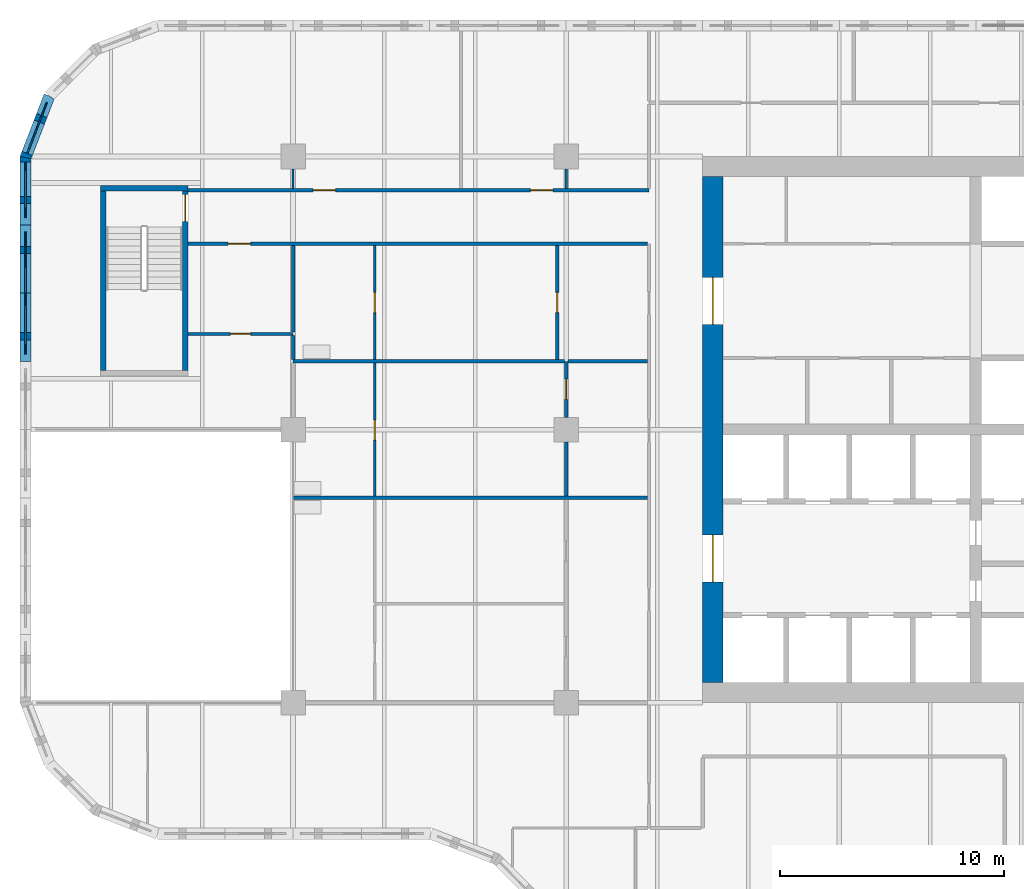
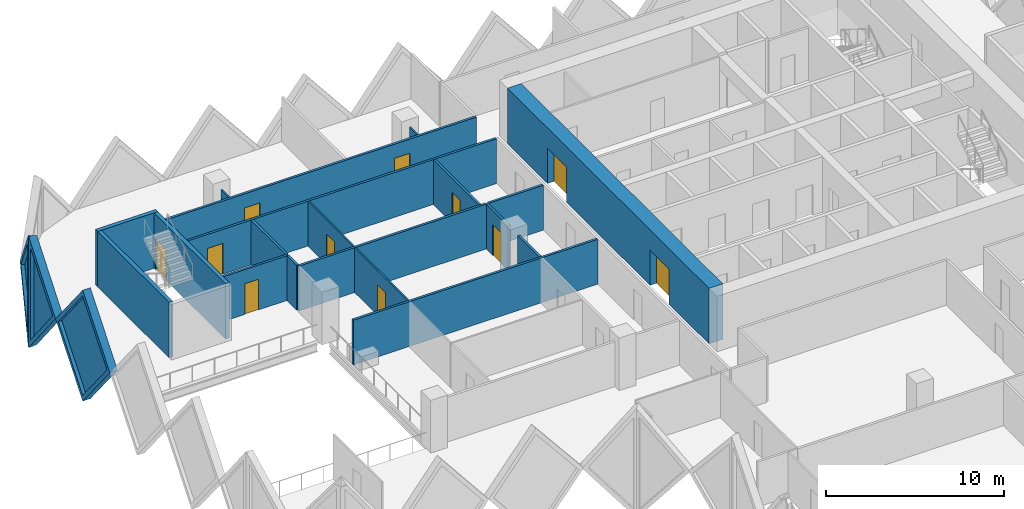
# One storey, part 8 of 20: 22 walls, 11 doors, 3 plates, 14 openings.
"""IFC4 building model written with IfcOpenShell, lengths in metres."""

from ifc_helpers import new_model, si_unit, direction, frame, frame_2d, origin, place, context, subcontext, project, spatial, polyline, rectangle, outline, extrude, faceted_brep, source, transform, mapped, material, layer, layer_set, type_object, element, fill, save


model = new_model("IFC4")

# Units and contexts
model_context = context("Model", 3, precision=1e-05, world=origin(), true_north=direction((0.0, 1.0)))
body_context = subcontext(model_context, "Body", "Model", "MODEL_VIEW")
ifc_project = project(units=[si_unit("LENGTHUNIT", "METRE"), si_unit("AREAUNIT", "SQUARE_METRE"), si_unit("VOLUMEUNIT", "CUBIC_METRE"), si_unit("PLANEANGLEUNIT", "RADIAN"), si_unit("MASSUNIT", "GRAM", prefix="KILO")], contexts=[model_context])

# Site, building, storey
site_placement = place(None, origin())
site = spatial("IfcSite", under=ifc_project, at=site_placement, CompositionType="ELEMENT")
building_placement = place(site_placement, origin())
building = spatial("IfcBuilding", under=site, at=building_placement, Name="Tessera Gate Towers", CompositionType="ELEMENT")
storey_placement = place(building_placement, frame((0.0, 0.0, 52.39990234375)))
storey = spatial("IfcBuildingStorey", under=building, at=storey_placement, Name="L12", CompositionType="ELEMENT", Elevation=52.39990234375)

# Walls
ifc_material_1 = material(Name="Concrete C40/50", Category="concrete")
ifc_layer_1 = layer(ifc_material_1, 0.25)
ifc_layer_set_1 = layer_set([ifc_layer_1], Name="CORE ENCLOSURE WALL 250")
wall_type_1 = type_object("IfcWallType", Name="CORE ENCLOSURE WALL 250", PredefinedType="SOLIDWALL", material=ifc_layer_set_1)
wall_1_placement = place(storey_placement, frame((3.72509765625, 39.25, 0.0), z_axis=(0.0, 0.0, 1.0), x_axis=(0.0, 1.0, 0.0)))
element("IfcWall", 1, at=wall_1_placement, inside=storey, type_object=wall_type_1, Name="L12 ST3 enclosure wall", PredefinedType="SOLIDWALL", context=body_context, shape_type="SweptSolid", body=[
    extrude(rectangle(XDim=8.0, YDim=0.25, at=frame_2d((4.0, 0.0))), origin(), (0.0, 0.0, 1.0), 3.800048828125),
])
wall_2_placement = place(storey_placement, frame((3.60009765625, 47.375, 0.0), z_axis=(0.0, 0.0, 1.0), x_axis=(1.0, 0.0, 0.0)))
element("IfcWall", 2, at=wall_2_placement, inside=storey, type_object=wall_type_1, Name="L12 ST3 enclosure wall", PredefinedType="SOLIDWALL", context=body_context, shape_type="SweptSolid", body=[
    extrude(rectangle(XDim=3.89990234375, YDim=0.25, at=frame_2d((1.949951171875, 0.0))), origin(), (0.0, 0.0, 1.0), 3.800048828125),
])

# Wall, opening, door
wall_3_placement = place(storey_placement, frame((7.375, 47.25, 0.0), z_axis=(0.0, 0.0, 1.0), x_axis=(0.0, -1.0, 0.0)))
wall_3 = element("IfcWall", 3, at=wall_3_placement, inside=storey, type_object=wall_type_1, Name="L12 ST3 enclosure wall", PredefinedType="SOLIDWALL", context=body_context, shape_type="SweptSolid", body=[
    extrude(rectangle(XDim=8.0, YDim=0.25, at=frame_2d((4.0, 0.0))), origin(), (0.0, 0.0, 1.0), 3.800048828125),
])
shared_shape_1 = source(origin(), body_context, "Body", "SweptSolid", [
    extrude(rectangle(XDim=1.199951171875, YDim=2.10009765625, at=frame_2d((0.60009765625, 1.050048828125))), frame((0.0, 0.135009765625, 0.0), z_axis=(0.0, -1.0, 0.0), x_axis=(1.0, 0.0, 0.0)), (0.0, 0.0, 1.0), 0.27001953125),
])
opening_1_placement = place(wall_3_placement, frame((0.14990234375, 0.0, 0.0)))
opening_1 = element("IfcOpeningElement", 4, at=opening_1_placement, cuts=wall_3, Name="Opening SD-ST3-1", PredefinedType="OPENING", context=body_context, shape_type="MappedRepresentation", body=[
    mapped(shared_shape_1, transform((0.0, 0.0, 0.0), scale=1.0)),
])
ifc_material_2 = material(Name="Hollow steel fire door", Category="steel")
door_type_1 = type_object("IfcDoorType", Name="CORE DOOR SD 1200x2100", OperationType="NOTDEFINED", PredefinedType="DOOR", material=ifc_material_2)
shared_shape_2 = source(origin(), body_context, "Body", "SweptSolid", [
    extrude(rectangle(XDim=1.199951171875, YDim=2.10009765625, at=frame_2d((0.60009765625, 1.050048828125))), frame((0.0, 0.02490234375, 0.0), z_axis=(0.0, -1.0, 0.0), x_axis=(1.0, 0.0, 0.0)), (0.0, 0.0, 1.0), 0.050048828125),
])
door_1_placement = place(opening_1_placement, origin())
door_1 = element("IfcDoor", 5, at=door_1_placement, inside=storey, type_object=door_type_1, Name="Stair door", OperationType="SINGLE_SWING_LEFT", OverallHeight=2.10009765625, OverallWidth=1.199951171875, PredefinedType="DOOR", context=body_context, shape_type="MappedRepresentation", body=[
    mapped(shared_shape_2, transform((0.0, 0.0, 0.0), scale=1.0)),
])
fill(opening_1, door_1)

# Wall, openings, doors
ifc_material_3 = material(Name="Concrete C70/85", Category="concrete")
ifc_layer_2 = layer(ifc_material_3, 0.89990234375)
ifc_layer_set_2 = layer_set([ifc_layer_2], Name="CORE SHEAR WALL 900 C70/85")
wall_type_2 = type_object("IfcWallType", Name="CORE SHEAR WALL 900 C70/85", PredefinedType="SHEAR", material=ifc_layer_set_2)
wall_4_placement = place(storey_placement, frame((30.949951171875, 25.300048828125, 0.0), z_axis=(0.0, 0.0, 1.0), x_axis=(0.0, 1.0, 0.0)))
wall_4 = element("IfcWall", 6, at=wall_4_placement, inside=storey, type_object=wall_type_2, Name="Core wall W L12", PredefinedType="SHEAR", context=body_context, shape_type="SweptSolid", body=[
    extrude(rectangle(XDim=22.599853515625, YDim=0.89990234375, at=frame_2d((11.2998046875, 0.0))), origin(), (0.0, 0.0, 1.0), 3.800048828125),
])
shared_shape_3 = source(origin(), body_context, "Body", "SweptSolid", [
    extrude(rectangle(XDim=2.10009765625, YDim=2.39990234375, at=frame_2d((1.050048828125, 1.199951171875))), frame((0.0, 0.4599609375, 0.0), z_axis=(0.0, -1.0, 0.0), x_axis=(1.0, 0.0, 0.0)), (0.0, 0.0, 1.0), 0.919921875),
])
opening_2_placement = place(wall_4_placement, frame((4.5, 0.0, 0.0)))
opening_2 = element("IfcOpeningElement", 7, at=opening_2_placement, cuts=wall_4, Name="Opening DD-T1-09-02", PredefinedType="OPENING", context=body_context, shape_type="MappedRepresentation", body=[
    mapped(shared_shape_3, transform((0.0, 0.0, 0.0), scale=1.0)),
])
opening_3_placement = place(wall_4_placement, frame((16.0, 0.0, 0.0)))
opening_3 = element("IfcOpeningElement", 8, at=opening_3_placement, cuts=wall_4, Name="Opening DD-T1-09-03", PredefinedType="OPENING", context=body_context, shape_type="MappedRepresentation", body=[
    mapped(shared_shape_3, transform((0.0, 0.0, 0.0), scale=1.0)),
])
ifc_material_4 = material(Name="Hollow steel fire door", Category="steel")
door_type_2 = type_object("IfcDoorType", Name="CORE DOOR DD 2100x2400", OperationType="NOTDEFINED", PredefinedType="DOOR", material=ifc_material_4)
shared_shape_4 = source(origin(), body_context, "Body", "SweptSolid", [
    extrude(rectangle(XDim=2.10009765625, YDim=2.39990234375, at=frame_2d((1.050048828125, 1.199951171875))), frame((0.0, 0.02490234375, 0.0), z_axis=(0.0, -1.0, 0.0), x_axis=(1.0, 0.0, 0.0)), (0.0, 0.0, 1.0), 0.050048828125),
])
door_2_placement = place(opening_2_placement, origin())
door_2 = element("IfcDoor", 9, at=door_2_placement, inside=storey, type_object=door_type_2, Name="Core entrance door", OperationType="DOUBLE_DOOR_SINGLE_SWING", OverallHeight=2.39990234375, OverallWidth=2.10009765625, PredefinedType="DOOR", context=body_context, shape_type="MappedRepresentation", body=[
    mapped(shared_shape_4, transform((0.0, 0.0, 0.0), scale=1.0)),
])
fill(opening_2, door_2)
door_3_placement = place(opening_3_placement, origin())
door_3 = element("IfcDoor", 10, at=door_3_placement, inside=storey, type_object=door_type_2, Name="Core entrance door", OperationType="DOUBLE_DOOR_SINGLE_SWING", OverallHeight=2.39990234375, OverallWidth=2.10009765625, PredefinedType="DOOR", context=body_context, shape_type="MappedRepresentation", body=[
    mapped(shared_shape_4, transform((0.0, 0.0, 0.0), scale=1.0)),
])
fill(opening_3, door_3)

# Wall, opening, door
ifc_material_5 = material(Name="Gypsum board on steel studs, mineral wool", Category="steel")
ifc_layer_3 = layer(ifc_material_5, 0.14990234375)
ifc_layer_set_3 = layer_set([ifc_layer_3], Name="CORRIDOR WALL 150")
wall_type_3 = type_object("IfcWallType", Name="CORRIDOR WALL 150", PredefinedType="PARTITIONING", material=ifc_layer_set_3)
wall_5_placement = place(storey_placement, frame((28.02392578125, 44.89990234375, 0.0), z_axis=(0.0, 0.0, 1.0), x_axis=(-1.0, 0.0, 0.0)))
wall_5 = element("IfcWall", 11, at=wall_5_placement, inside=storey, type_object=wall_type_3, Name="T1-L12-PW-048", PredefinedType="PARTITIONING", context=body_context, shape_type="SweptSolid", body=[
    extrude(rectangle(XDim=20.52392578125, YDim=0.14990234375, at=frame_2d((10.261962890625, 0.0))), origin(), (0.0, 0.0, 1.0), 3.067138671875),
])
shared_shape_5 = source(origin(), body_context, "Body", "SweptSolid", [
    extrude(rectangle(XDim=1.0, YDim=2.10009765625, at=frame_2d((0.5, 1.050048828125))), frame((0.0, 0.0849609375, 0.0), z_axis=(0.0, -1.0, 0.0), x_axis=(1.0, 0.0, 0.0)), (0.0, 0.0, 1.0), 0.169921875),
])
opening_4_placement = place(wall_5_placement, frame((17.72412109375, 0.0, 0.0)))
opening_4 = element("IfcOpeningElement", 12, at=opening_4_placement, cuts=wall_5, Name="Opening D2100FD60-A04-01", PredefinedType="OPENING", context=body_context, shape_type="MappedRepresentation", body=[
    mapped(shared_shape_5, transform((0.0, 0.0, 0.0), scale=1.0)),
])
ifc_material_6 = material(Name="Timber door leaf in steel frame", Category="steel")
door_type_3 = type_object("IfcDoorType", Name="TENANCY ENTRANCE DOOR 1000 FD60", OperationType="NOTDEFINED", PredefinedType="DOOR", material=ifc_material_6)
shared_shape_6 = source(origin(), body_context, "Body", "SweptSolid", [
    extrude(rectangle(XDim=1.0, YDim=2.10009765625, at=frame_2d((0.5, 1.050048828125))), frame((0.0, 0.02490234375, 0.0), z_axis=(0.0, -1.0, 0.0), x_axis=(1.0, 0.0, 0.0)), (0.0, 0.0, 1.0), 0.050048828125),
])
door_4_placement = place(opening_4_placement, origin())
door_4 = element("IfcDoor", 13, at=door_4_placement, inside=storey, type_object=door_type_3, Name="T1-L12-PD-005", OperationType="SINGLE_SWING_RIGHT", OverallHeight=2.10009765625, OverallWidth=1.0, PredefinedType="DOOR", context=body_context, shape_type="MappedRepresentation", body=[
    mapped(shared_shape_6, transform((0.0, 0.0, 0.0), scale=1.0)),
])
fill(opening_4, door_4)

# Wall, openings, doors
wall_6_placement = place(storey_placement, frame((7.5, 47.300048828125, 0.0), z_axis=(0.0, 0.0, 1.0), x_axis=(1.0, 0.0, 0.0)))
wall_6 = element("IfcWall", 14, at=wall_6_placement, inside=storey, type_object=wall_type_3, Name="T1-L12-PW-049", PredefinedType="PARTITIONING", context=body_context, shape_type="SweptSolid", body=[
    extrude(rectangle(XDim=20.60009765625, YDim=0.14990234375, at=frame_2d((10.300048828125, 0.0))), origin(), (0.0, 0.0, 1.0), 3.067138671875),
])
opening_5_placement = place(wall_6_placement, frame((15.301025390625, 0.0, 0.0)))
opening_5 = element("IfcOpeningElement", 15, at=opening_5_placement, cuts=wall_6, Name="Opening D2100FD60-A04-06", PredefinedType="OPENING", context=body_context, shape_type="MappedRepresentation", body=[
    mapped(shared_shape_5, transform((0.0, 0.0, 0.0), scale=1.0)),
])
opening_6_placement = place(wall_6_placement, frame((5.60009765625, 0.0, 0.0)))
opening_6 = element("IfcOpeningElement", 16, at=opening_6_placement, cuts=wall_6, Name="Opening D2100FD60-A04-08", PredefinedType="OPENING", context=body_context, shape_type="MappedRepresentation", body=[
    mapped(shared_shape_5, transform((0.0, 0.0, 0.0), scale=1.0)),
])
door_5_placement = place(opening_5_placement, origin())
door_5 = element("IfcDoor", 17, at=door_5_placement, inside=storey, type_object=door_type_3, Name="T1-L12-PD-018", OperationType="SINGLE_SWING_RIGHT", OverallHeight=2.10009765625, OverallWidth=1.0, PredefinedType="DOOR", context=body_context, shape_type="MappedRepresentation", body=[
    mapped(shared_shape_6, transform((0.0, 0.0, 0.0), scale=1.0)),
])
fill(opening_5, door_5)
door_6_placement = place(opening_6_placement, origin())
door_6 = element("IfcDoor", 18, at=door_6_placement, inside=storey, type_object=door_type_3, Name="T1-L12-PD-027", OperationType="SINGLE_SWING_LEFT", OverallHeight=2.10009765625, OverallWidth=1.0, PredefinedType="DOOR", context=body_context, shape_type="MappedRepresentation", body=[
    mapped(shared_shape_6, transform((0.0, 0.0, 0.0), scale=1.0)),
])
fill(opening_6, door_6)

# Wall, opening, door
ifc_material_7 = material(Name="Gypsum board on steel studs", Category="steel")
ifc_layer_4 = layer(ifc_material_7, 0.10009765625)
ifc_layer_set_4 = layer_set([ifc_layer_4], Name="PARTITION 100")
wall_type_4 = type_object("IfcWallType", Name="PARTITION 100", PredefinedType="PARTITIONING", material=ifc_layer_set_4)
wall_7_placement = place(storey_placement, frame((15.85009765625, 33.6259765625, 0.0), z_axis=(0.0, 0.0, 1.0), x_axis=(0.0, 1.0, 0.0)))
wall_7 = element("IfcWall", 19, at=wall_7_placement, inside=storey, type_object=wall_type_4, Name="T1-L12-PW-037", PredefinedType="PARTITIONING", context=body_context, shape_type="SweptSolid", body=[
    extrude(rectangle(XDim=5.947998046875, YDim=0.10009765625, at=frame_2d((2.97412109375, 0.0))), origin(), (0.0, 0.0, 1.0), 3.067138671875),
])
shared_shape_7 = source(origin(), body_context, "Body", "SweptSolid", [
    extrude(rectangle(XDim=0.89990234375, YDim=2.10009765625, at=frame_2d((0.449951171875, 1.050048828125))), frame((0.0, 0.06005859375, 0.0), z_axis=(0.0, -1.0, 0.0), x_axis=(1.0, 0.0, 0.0)), (0.0, 0.0, 1.0), 0.1201171875),
])
opening_7_placement = place(wall_7_placement, frame((2.5, 0.0, 0.0)))
opening_7 = element("IfcOpeningElement", 20, at=opening_7_placement, cuts=wall_7, Name="Opening D190-A04-08", PredefinedType="OPENING", context=body_context, shape_type="MappedRepresentation", body=[
    mapped(shared_shape_7, transform((0.0, 0.0, 0.0), scale=1.0)),
])
ifc_material_8 = material(Name="Timber door leaf in steel frame", Category="steel")
door_type_4 = type_object("IfcDoorType", Name="INTERNAL DOOR 900 NOT RATED", OperationType="NOTDEFINED", PredefinedType="DOOR", material=ifc_material_8)
shared_shape_8 = source(origin(), body_context, "Body", "SweptSolid", [
    extrude(rectangle(XDim=0.89990234375, YDim=2.10009765625, at=frame_2d((0.449951171875, 1.050048828125))), frame((0.0, 0.02490234375, 0.0), z_axis=(0.0, -1.0, 0.0), x_axis=(1.0, 0.0, 0.0)), (0.0, 0.0, 1.0), 0.050048828125),
])
door_7_placement = place(opening_7_placement, origin())
door_7 = element("IfcDoor", 21, at=door_7_placement, inside=storey, type_object=door_type_4, Name="T1-L12-PD-014", OperationType="SINGLE_SWING_LEFT", OverallHeight=2.10009765625, OverallWidth=0.89990234375, PredefinedType="DOOR", context=body_context, shape_type="MappedRepresentation", body=[
    mapped(shared_shape_8, transform((0.0, 0.0, 0.0), scale=1.0)),
])
fill(opening_7, door_7)

wall_8_placement = place(storey_placement, frame((15.85009765625, 39.72607421875, 0.0), z_axis=(0.0, 0.0, 1.0), x_axis=(0.0, 1.0, 0.0)))
wall_8 = element("IfcWall", 22, at=wall_8_placement, inside=storey, type_object=wall_type_4, Name="T1-L12-PW-044", PredefinedType="PARTITIONING", context=body_context, shape_type="SweptSolid", body=[
    extrude(rectangle(XDim=5.097900390625, YDim=0.10009765625, at=frame_2d((2.548828125, 0.0))), origin(), (0.0, 0.0, 1.0), 3.067138671875),
])
opening_8_placement = place(wall_8_placement, frame((2.10009765625, 0.0, 0.0)))
opening_8 = element("IfcOpeningElement", 23, at=opening_8_placement, cuts=wall_8, Name="Opening D190-A04-07", PredefinedType="OPENING", context=body_context, shape_type="MappedRepresentation", body=[
    mapped(shared_shape_7, transform((0.0, 0.0, 0.0), scale=1.0)),
])
door_8_placement = place(opening_8_placement, origin())
door_8 = element("IfcDoor", 24, at=door_8_placement, inside=storey, type_object=door_type_4, Name="T1-L12-PD-011", OperationType="SINGLE_SWING_LEFT", OverallHeight=2.10009765625, OverallWidth=0.89990234375, PredefinedType="DOOR", context=body_context, shape_type="MappedRepresentation", body=[
    mapped(shared_shape_8, transform((0.0, 0.0, 0.0), scale=1.0)),
])
fill(opening_8, door_8)

# Walls
for number, where, z_axis, x_axis, name in (
    (25, (12.199951171875, 48.25, 0.0), (0.0, 0.0, 1.0), (0.0, -1.0, 0.0), "T1-L12-PW-052"),
    (26, (24.39990234375, 48.25, 0.0), (0.0, 0.0, 1.0), (0.0, -1.0, 0.0), "T1-L12-PW-053"),
):
    element("IfcWall", number, at=place(storey_placement, frame(where, z_axis=z_axis, x_axis=x_axis)), inside=storey, type_object=wall_type_4, Name=name, PredefinedType="PARTITIONING", context=body_context, shape_type="SweptSolid", body=[
        extrude(rectangle(XDim=0.875, YDim=0.10009765625, at=frame_2d((0.4375, 0.0))), origin(), (0.0, 0.0, 1.0), 3.067138671875),
    ])
ifc_material_9 = material(Name="Gypsum board on steel studs, mineral wool", Category="steel")
ifc_layer_5 = layer(ifc_material_9, 0.14990234375)
ifc_layer_set_5 = layer_set([ifc_layer_5], Name="TENANCY WALL 150")
wall_type_5 = type_object("IfcWallType", Name="TENANCY WALL 150", PredefinedType="PARTITIONING", material=ifc_layer_set_5)
wall_9_placement = place(storey_placement, frame((12.199951171875, 33.550048828125, 0.0), z_axis=(0.0, 0.0, 1.0), x_axis=(1.0, 0.0, 0.0)))
element("IfcWall", 27, at=wall_9_placement, inside=storey, type_object=wall_type_5, Name="T1-L12-PW-036", PredefinedType="PARTITIONING", context=body_context, shape_type="SweptSolid", body=[
    extrude(rectangle(XDim=15.823974609375, YDim=0.14990234375, at=frame_2d((7.912109375, 0.0))), origin(), (0.0, 0.0, 1.0), 3.067138671875),
])
wall_10_placement = place(storey_placement, frame((24.39990234375, 33.6259765625, 0.0), z_axis=(0.0, 0.0, 1.0), x_axis=(0.0, 1.0, 0.0)))
element("IfcWall", 28, at=wall_10_placement, inside=storey, type_object=wall_type_5, Name="T1-L12-PW-038", PredefinedType="PARTITIONING", context=body_context, shape_type="SweptSolid", body=[
    extrude(rectangle(XDim=2.423095703125, YDim=0.14990234375, at=frame_2d((1.21142578125, 0.0))), origin(), (0.0, 0.0, 1.0), 3.067138671875),
])

# Wall, opening, door
wall_11_placement = place(storey_placement, frame((24.39990234375, 37.15087890625, 0.0), z_axis=(0.0, 0.0, 1.0), x_axis=(0.0, 1.0, 0.0)))
wall_11 = element("IfcWall", 29, at=wall_11_placement, inside=storey, type_object=wall_type_5, Name="T1-L12-PW-040", PredefinedType="PARTITIONING", context=body_context, shape_type="SweptSolid", body=[
    extrude(rectangle(XDim=2.4990234375, YDim=0.14990234375, at=frame_2d((1.24951171875, 0.0))), origin(), (0.0, 0.0, 1.0), 3.067138671875),
])
shared_shape_9 = source(origin(), body_context, "Body", "SweptSolid", [
    extrude(rectangle(XDim=0.89990234375, YDim=2.10009765625, at=frame_2d((0.449951171875, 1.050048828125))), frame((0.0, 0.0849609375, 0.0), z_axis=(0.0, -1.0, 0.0), x_axis=(1.0, 0.0, 0.0)), (0.0, 0.0, 1.0), 0.169921875),
])
opening_9_placement = place(wall_11_placement, frame((0.800048828125, 0.0, 0.0)))
opening_9 = element("IfcOpeningElement", 30, at=opening_9_placement, cuts=wall_11, Name="Opening D190-A04-05", PredefinedType="OPENING", context=body_context, shape_type="MappedRepresentation", body=[
    mapped(shared_shape_9, transform((0.0, 0.0, 0.0), scale=1.0)),
])
door_9_placement = place(opening_9_placement, origin())
door_9 = element("IfcDoor", 31, at=door_9_placement, inside=storey, type_object=door_type_4, Name="T1-L12-PD-009", OperationType="SINGLE_SWING_LEFT", OverallHeight=2.10009765625, OverallWidth=0.89990234375, PredefinedType="DOOR", context=body_context, shape_type="MappedRepresentation", body=[
    mapped(shared_shape_8, transform((0.0, 0.0, 0.0), scale=1.0)),
])
fill(opening_9, door_9)

# Walls
wall_12_placement = place(storey_placement, frame((12.199951171875, 39.64990234375, 0.0), z_axis=(0.0, 0.0, 1.0), x_axis=(1.0, 0.0, 0.0)))
element("IfcWall", 32, at=wall_12_placement, inside=storey, type_object=wall_type_5, Name="T1-L12-PW-041", PredefinedType="PARTITIONING", context=body_context, shape_type="SweptSolid", body=[
    extrude(rectangle(XDim=12.1240234375, YDim=0.14990234375, at=frame_2d((6.06201171875, 0.0))), origin(), (0.0, 0.0, 1.0), 3.067138671875),
])
wall_13_placement = place(storey_placement, frame((24.47607421875, 39.64990234375, 0.0), z_axis=(0.0, 0.0, 1.0), x_axis=(1.0, 0.0, 0.0)))
element("IfcWall", 33, at=wall_13_placement, inside=storey, type_object=wall_type_5, Name="T1-L12-PW-042", PredefinedType="PARTITIONING", context=body_context, shape_type="SweptSolid", body=[
    extrude(rectangle(XDim=3.5478515625, YDim=0.14990234375, at=frame_2d((1.77392578125, 0.0))), origin(), (0.0, 0.0, 1.0), 3.067138671875),
])
wall_14_placement = place(storey_placement, frame((12.199951171875, 39.72607421875, 0.0), z_axis=(0.0, 0.0, 1.0), x_axis=(0.0, 1.0, 0.0)))
element("IfcWall", 34, at=wall_14_placement, inside=storey, type_object=wall_type_5, Name="T1-L12-PW-043", PredefinedType="PARTITIONING", context=body_context, shape_type="SweptSolid", body=[
    extrude(rectangle(XDim=1.072998046875, YDim=0.14990234375, at=frame_2d((0.53662109375, 0.0))), origin(), (0.0, 0.0, 1.0), 3.067138671875),
])

# Wall, opening, door
wall_15_placement = place(storey_placement, frame((24.0, 39.72607421875, 0.0), z_axis=(0.0, 0.0, 1.0), x_axis=(0.0, 1.0, 0.0)))
wall_15 = element("IfcWall", 35, at=wall_15_placement, inside=storey, type_object=wall_type_5, Name="T1-L12-PW-045", PredefinedType="PARTITIONING", context=body_context, shape_type="SweptSolid", body=[
    extrude(rectangle(XDim=5.097900390625, YDim=0.14990234375, at=frame_2d((2.548828125, 0.0))), origin(), (0.0, 0.0, 1.0), 3.067138671875),
])
opening_10_placement = place(wall_15_placement, frame((2.10009765625, 0.0, 0.0)))
opening_10 = element("IfcOpeningElement", 36, at=opening_10_placement, cuts=wall_15, Name="Opening D190-A04-06", PredefinedType="OPENING", context=body_context, shape_type="MappedRepresentation", body=[
    mapped(shared_shape_9, transform((0.0, 0.0, 0.0), scale=1.0)),
])
door_10_placement = place(opening_10_placement, origin())
door_10 = element("IfcDoor", 37, at=door_10_placement, inside=storey, type_object=door_type_4, Name="T1-L12-PD-010", OperationType="SINGLE_SWING_LEFT", OverallHeight=2.10009765625, OverallWidth=0.89990234375, PredefinedType="DOOR", context=body_context, shape_type="MappedRepresentation", body=[
    mapped(shared_shape_8, transform((0.0, 0.0, 0.0), scale=1.0)),
])
fill(opening_10, door_10)

wall_16_placement = place(storey_placement, frame((12.199951171875, 40.875, 0.0), z_axis=(0.0, 0.0, 1.0), x_axis=(-1.0, 0.0, 0.0)))
wall_16 = element("IfcWall", 38, at=wall_16_placement, inside=storey, type_object=wall_type_5, Name="T1-L12-PW-046", PredefinedType="PARTITIONING", context=body_context, shape_type="SweptSolid", body=[
    extrude(rectangle(XDim=4.699951171875, YDim=0.14990234375, at=frame_2d((2.35009765625, 0.0))), origin(), (0.0, 0.0, 1.0), 3.067138671875),
])
opening_11_placement = place(wall_16_placement, frame((1.89990234375, 0.0, 0.0)))
opening_11 = element("IfcOpeningElement", 39, at=opening_11_placement, cuts=wall_16, Name="Opening D190-A04-04", PredefinedType="OPENING", context=body_context, shape_type="MappedRepresentation", body=[
    mapped(shared_shape_9, transform((0.0, 0.0, 0.0), scale=1.0)),
])
door_11_placement = place(opening_11_placement, origin())
door_11 = element("IfcDoor", 40, at=door_11_placement, inside=storey, type_object=door_type_4, Name="T1-L12-PD-006", OperationType="SINGLE_SWING_RIGHT", OverallHeight=2.10009765625, OverallWidth=0.89990234375, PredefinedType="DOOR", context=body_context, shape_type="MappedRepresentation", body=[
    mapped(shared_shape_8, transform((0.0, 0.0, 0.0), scale=1.0)),
])
fill(opening_11, door_11)

# Wall
wall_17_placement = place(storey_placement, frame((12.199951171875, 40.950927734375, 0.0), z_axis=(0.0, 0.0, 1.0), x_axis=(0.0, 1.0, 0.0)))
element("IfcWall", 41, at=wall_17_placement, inside=storey, type_object=wall_type_5, Name="T1-L12-PW-047", PredefinedType="PARTITIONING", context=body_context, shape_type="SweptSolid", body=[
    extrude(rectangle(XDim=3.873046875, YDim=0.14990234375, at=frame_2d((1.9365234375, 0.0))), origin(), (0.0, 0.0, 1.0), 3.067138671875),
])

# Wall, opening, plate
ifc_material_10 = material(Name="Precast concrete C60/75 white", Category="concrete")
ifc_layer_6 = layer(ifc_material_10, 0.5)
ifc_layer_set_6 = layer_set([ifc_layer_6], Name="TS3 corner tessera")
wall_type_6 = type_object("IfcWallType", Name="TS3 corner tessera", PredefinedType="SOLIDWALL", material=ifc_layer_set_6)
shared_shape_10 = source(origin(), body_context, "Body", "Brep", [
    faceted_brep([(0.046630859375, -0.25, 0.0), (3.050048828125, -0.25, 3.7998046875), (0.046630859375, -0.25, 7.599853515625), (0.0, -0.25, 7.539794921875), (0.0, -0.25, 0.06005859375), (0.09326171875, 0.25, 7.541015625), (3.050048828125, 0.25, 3.7998046875), (0.09326171875, 0.25, 0.058837890625), (0.046630859375, 0.0, 0.0), (0.046630859375, 0.0, 7.599853515625)], [[[0, 1, 2, 3, 4]], [[5, 6, 7]], [[7, 6, 1, 0, 8]], [[6, 5, 9, 2, 1]], [[3, 2, 9]], [[8, 0, 4]], [[7, 8, 4, 3, 9, 5]]]),
])
wall_18_placement = place(storey_placement, frame((0.25, 48.800048828125, -3.7998046875), z_axis=(0.0, 0.0, 1.0), x_axis=(0.0, -1.0, 0.0)))
wall_18 = element("IfcWall", 42, at=wall_18_placement, inside=storey, type_object=wall_type_6, Name="Precast corner tessera T1 TS3-0252", PredefinedType="SOLIDWALL", context=body_context, shape_type="MappedRepresentation", body=[
    mapped(shared_shape_10, transform((0.0, 0.0, 0.0), scale=1.0)),
])
shared_shape_11 = source(origin(), body_context, "Body", "SweptSolid", [
    extrude(outline(polyline([(0.24658203125, 0.656005859375), (2.7314453125, 3.7998046875), (0.24658203125, 6.943603515625), (0.24658203125, 0.656005859375)])), frame((0.0, 0.260009765625, 0.0), z_axis=(0.0, -1.0, 0.0), x_axis=(1.0, 0.0, 0.0)), (0.0, 0.0, 1.0), 0.52001953125),
])
opening_12_placement = place(wall_18_placement, origin())
opening_12 = element("IfcOpeningElement", 43, at=opening_12_placement, cuts=wall_18, Name="Opening T1-PL2-0358", PredefinedType="OPENING", context=body_context, shape_type="MappedRepresentation", body=[
    mapped(shared_shape_11, transform((0.0, 0.0, 0.0), scale=1.0)),
])
ifc_material_11 = material(Name="Low-e laminated glass", Category="glass")
ifc_layer_7 = layer(ifc_material_11, 0.06005859375)
ifc_layer_set_7 = layer_set([ifc_layer_7], Name="PL2 rhombic pane")
plate_type = type_object("IfcPlateType", Name="PL2 rhombic pane", PredefinedType="SHEET", material=ifc_layer_set_7)
shared_shape_12 = source(origin(), body_context, "Body", "SweptSolid", [
    extrude(outline(polyline([(0.24658203125, 0.656005859375), (2.7314453125, 3.7998046875), (0.24658203125, 6.943603515625), (0.24658203125, 0.656005859375)])), frame((0.0, 0.030029296875, 0.0), z_axis=(0.0, -1.0, 0.0), x_axis=(1.0, 0.0, 0.0)), (0.0, 0.0, 1.0), 0.06005859375),
])
plate_1_placement = place(opening_12_placement, origin())
plate_1 = element("IfcPlate", 44, at=plate_1_placement, inside=storey, type_object=plate_type, Name="Glass pane T1 PL2-0358", PredefinedType="SHEET", context=body_context, shape_type="MappedRepresentation", body=[
    mapped(shared_shape_12, transform((0.0, 0.0, 0.0), scale=1.0)),
])
fill(opening_12, plate_1)

shared_shape_13 = source(origin(), body_context, "Body", "Brep", [
    faceted_brep([(2.950439453125, -0.25, 0.0), (2.9970703125, -0.25, 0.05908203125), (2.9970703125, -0.25, 7.540771484375), (2.950439453125, -0.25, 7.599853515625), (0.0, -0.25, 3.7998046875), (0.052978515625, 0.25, 3.867919921875), (2.904052734375, 0.25, 7.5400390625), (2.904052734375, 0.25, 0.059814453125), (0.052978515625, 0.25, 3.731689453125), (2.950439453125, 0.00048828125, 0.0), (2.950439453125, 0.00048828125, 7.599853515625), (0.0, 0.0, 3.7998046875)], [[[0, 1, 2, 3, 4]], [[5, 6, 7, 8]], [[1, 0, 9]], [[10, 3, 2]], [[6, 5, 11, 4, 3, 10]], [[8, 7, 9, 0, 4, 11]], [[8, 11, 5]], [[1, 9, 7, 6, 10, 2]]]),
])
wall_19_placement = place(storey_placement, frame((1.31201171875, 51.50634765625, -3.7998046875), z_axis=(0.0, 0.0, 1.0), x_axis=(-0.359944998003, -0.932973525033, 0.0)))
wall_19 = element("IfcWall", 45, at=wall_19_placement, inside=storey, type_object=wall_type_6, Name="Precast corner tessera T1 TS3-0251", PredefinedType="SOLIDWALL", context=body_context, shape_type="MappedRepresentation", body=[
    mapped(shared_shape_13, transform((0.0, 0.0, 0.0), scale=1.0)),
])
shared_shape_14 = source(origin(), body_context, "Body", "SweptSolid", [
    extrude(outline(polyline([(2.75048828125, 6.9345703125), (0.31640625, 3.7998046875), (2.75048828125, 0.6650390625), (2.75048828125, 6.9345703125)])), frame((0.0, 0.260009765625, 0.0), z_axis=(0.0, -1.0, 0.0), x_axis=(1.0, 0.0, 0.0)), (0.0, 0.0, 1.0), 0.52001953125),
])
opening_13_placement = place(wall_19_placement, origin())
opening_13 = element("IfcOpeningElement", 46, at=opening_13_placement, cuts=wall_19, Name="Opening T1-PL2-0357", PredefinedType="OPENING", context=body_context, shape_type="MappedRepresentation", body=[
    mapped(shared_shape_14, transform((0.0, 0.0, 0.0), scale=1.0)),
])
shared_shape_15 = source(origin(), body_context, "Body", "SweptSolid", [
    extrude(outline(polyline([(2.75048828125, 6.9345703125), (0.31640625, 3.7998046875), (2.75048828125, 0.6650390625), (2.75048828125, 6.9345703125)])), frame((0.0, 0.030029296875, 0.0), z_axis=(0.0, -1.0, 0.0), x_axis=(1.0, 0.0, 0.0)), (0.0, 0.0, 1.0), 0.06005859375),
])
plate_2_placement = place(opening_13_placement, origin())
plate_2 = element("IfcPlate", 47, at=plate_2_placement, inside=storey, type_object=plate_type, Name="Glass pane T1 PL2-0357", PredefinedType="SHEET", context=body_context, shape_type="MappedRepresentation", body=[
    mapped(shared_shape_15, transform((0.0, 0.0, 0.0), scale=1.0)),
])
fill(opening_13, plate_2)

ifc_material_12 = material(Name="Precast concrete C60/75 white", Category="concrete")
ifc_layer_8 = layer(ifc_material_12, 0.5)
ifc_layer_set_8 = layer_set([ifc_layer_8], Name="TS1 tessera")
wall_type_7 = type_object("IfcWallType", Name="TS1 tessera", PredefinedType="SOLIDWALL", material=ifc_layer_set_8)
shared_shape_16 = source(origin(), body_context, "Body", "SweptSolid", [
    extrude(outline(polyline([(3.050048828125, 0.0), (6.10009765625, 3.7998046875), (3.050048828125, 7.599853515625), (0.0, 3.7998046875), (3.050048828125, 0.0)])), frame((0.0, 0.25, 0.0), z_axis=(0.0, -1.0, 0.0), x_axis=(1.0, 0.0, 0.0)), (0.0, 0.0, 1.0), 0.5),
])
wall_20_placement = place(storey_placement, frame((0.25, 45.75, -3.7998046875), z_axis=(0.0, 0.0, 1.0), x_axis=(0.0, -1.0, 0.0)))
wall_20 = element("IfcWall", 48, at=wall_20_placement, inside=storey, type_object=wall_type_7, Name="Precast tessera T1 TS1-0179", PredefinedType="SOLIDWALL", context=body_context, shape_type="MappedRepresentation", body=[
    mapped(shared_shape_16, transform((0.0, 0.0, 0.0), scale=1.0)),
])
shared_shape_17 = source(origin(), body_context, "Body", "SweptSolid", [
    extrude(outline(polyline([(3.050048828125, 0.3994140625), (5.779541015625, 3.7998046875), (3.050048828125, 7.200439453125), (0.320556640625, 3.7998046875), (3.050048828125, 0.3994140625)])), frame((0.0, 0.260009765625, 0.0), z_axis=(0.0, -1.0, 0.0), x_axis=(1.0, 0.0, 0.0)), (0.0, 0.0, 1.0), 0.52001953125),
])
opening_14_placement = place(wall_20_placement, origin())
opening_14 = element("IfcOpeningElement", 49, at=opening_14_placement, cuts=wall_20, Name="Opening T1-PL2-0359", PredefinedType="OPENING", context=body_context, shape_type="MappedRepresentation", body=[
    mapped(shared_shape_17, transform((0.0, 0.0, 0.0), scale=1.0)),
])
shared_shape_18 = source(origin(), body_context, "Body", "SweptSolid", [
    extrude(outline(polyline([(3.050048828125, 0.3994140625), (5.779541015625, 3.7998046875), (3.050048828125, 7.200439453125), (0.320556640625, 3.7998046875), (3.050048828125, 0.3994140625)])), frame((0.0, 0.030029296875, 0.0), z_axis=(0.0, -1.0, 0.0), x_axis=(1.0, 0.0, 0.0)), (0.0, 0.0, 1.0), 0.06005859375),
])
plate_3_placement = place(opening_14_placement, origin())
plate_3 = element("IfcPlate", 50, at=plate_3_placement, inside=storey, type_object=plate_type, Name="Glass pane T1 PL2-0359", PredefinedType="SHEET", context=body_context, shape_type="MappedRepresentation", body=[
    mapped(shared_shape_18, transform((0.0, 0.0, 0.0), scale=1.0)),
])
fill(opening_14, plate_3)

save(model, "model.ifc")
